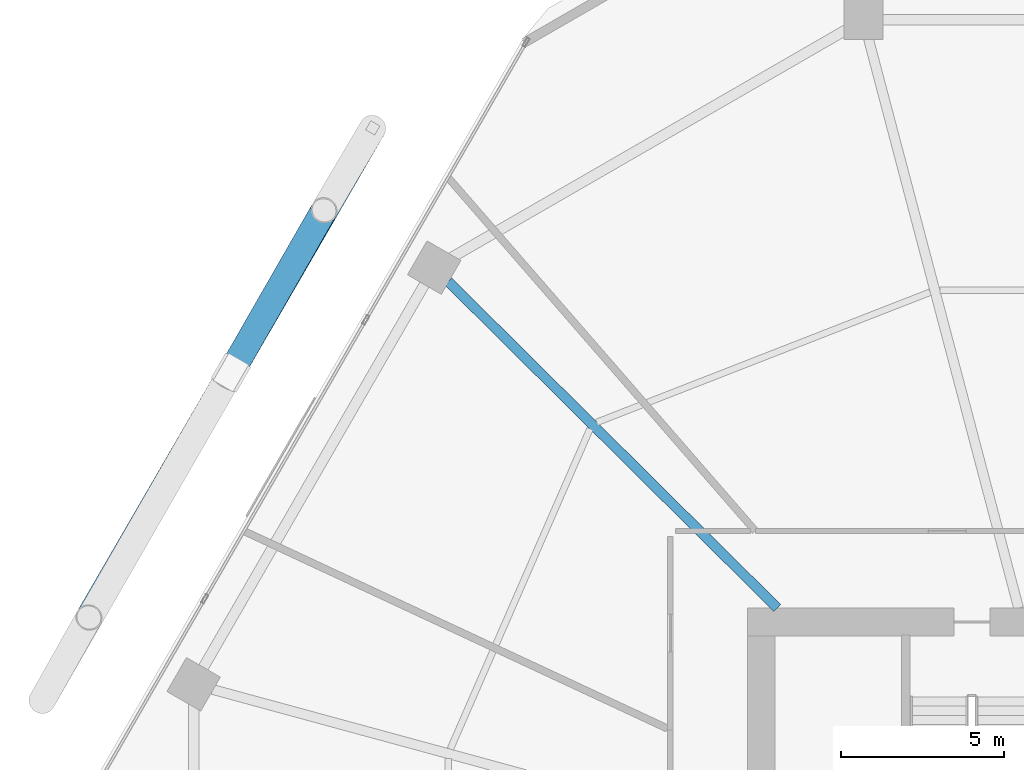
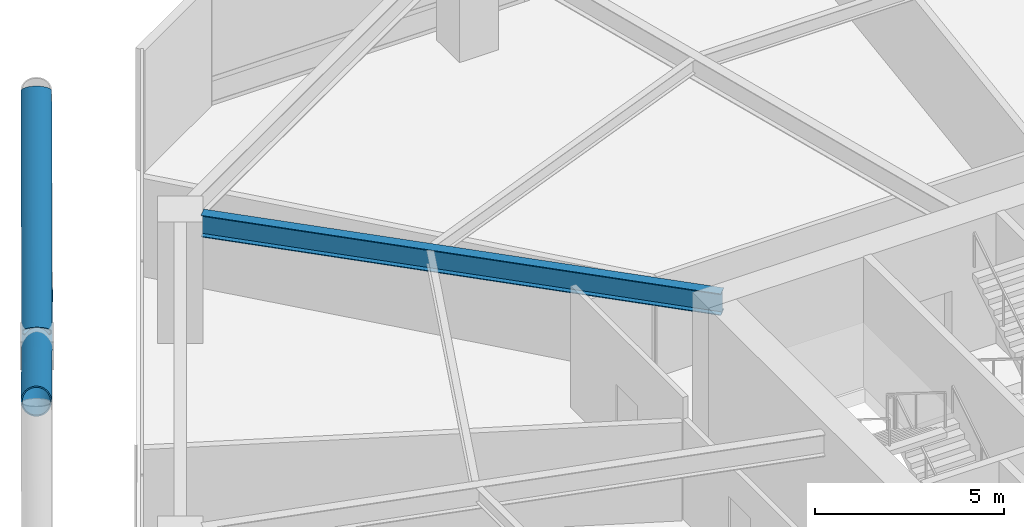
# One storey, part 15 of 31: 2 members, 1 beam.
"""IFC4 building model written with IfcOpenShell, lengths in metres."""

from ifc_helpers import new_model, si_unit, direction, frame, origin, origin_2d, place, context, subcontext, project, spatial, hollow_circle, i_section, extrude, material, material_profile, profile_set, type_object, element, save


model = new_model("IFC4")

# Units and contexts
model_context = context("Model", 3, precision=1e-05, world=origin(), true_north=direction((0.0, 1.0)))
body_context = subcontext(model_context, "Body", "Model", "MODEL_VIEW")
ifc_project = project(units=[si_unit("LENGTHUNIT", "METRE"), si_unit("AREAUNIT", "SQUARE_METRE"), si_unit("VOLUMEUNIT", "CUBIC_METRE"), si_unit("PLANEANGLEUNIT", "RADIAN"), si_unit("MASSUNIT", "GRAM", prefix="KILO")], contexts=[model_context])

# Site, building, storey
site_placement = place(None, origin())
site = spatial("IfcSite", under=ifc_project, at=site_placement, CompositionType="ELEMENT")
building_placement = place(site_placement, origin())
building = spatial("IfcBuilding", under=site, at=building_placement, Name="Zuhravey Tower", CompositionType="ELEMENT")
storey_placement = place(building_placement, frame((0.0, 0.0, 7.800048828125)))
storey = spatial("IfcBuildingStorey", under=building, at=storey_placement, Name="L02", CompositionType="ELEMENT", Elevation=7.800048828125)

# Members
ifc_material_1 = material(Name="Steel SM460", Category="steel")
ifc_material_profile_1 = material_profile(ifc_material_1, hollow_circle(Radius=0.406494140625, WallThickness=0.035888671875, at=origin_2d()), Name="CHS-812.8x36")
ifc_profile_set_1 = profile_set([ifc_material_profile_1], Name="Steel SM460")
member_type = type_object("IfcMemberType", Name="Exoskeleton Zone 1 Diagrid CHS813x36", PredefinedType="BRACE", material=ifc_profile_set_1)
member_1_placement = place(storey_placement, frame((13.5771484375, 56.599609375, -0.64208984375), z_axis=(-0.449535773674, -0.775521240406, 0.443265601943), x_axis=(0.865160213065, -0.501495569003, 0.0)))
element("IfcMember", 1, at=member_1_placement, inside=storey, type_object=member_type, Name="L02 Face 3 Diagrid Brace 2", PredefinedType="BRACE", context=body_context, shape_type="SweptSolid", body=[
    extrude(hollow_circle(Radius=0.406494140625, WallThickness=0.035888671875, at=origin_2d()), origin(), (0.0, 0.0, 1.0), 19.23486328125),
])
member_2_placement = place(storey_placement, frame((9.411865234375, 49.416259765625, 3.858642578125), z_axis=(0.398370837089, 0.694280563752, 0.599395674787), x_axis=(-0.867359684282, 0.49768180405, 0.0)))
element("IfcMember", 2, at=member_2_placement, inside=storey, type_object=member_type, Name="L02 Face 3 Split Diagrid Brace 3B", PredefinedType="BRACE", context=body_context, shape_type="SweptSolid", body=[
    extrude(hollow_circle(Radius=0.406494140625, WallThickness=0.035888671875, at=origin_2d()), origin(), (0.0, 0.0, 1.0), 6.70263671875),
])

# Beam
ifc_material_2 = material(Name="Steel SM355", Category="steel")
ifc_material_profile_2 = material_profile(ifc_material_2, i_section(OverallWidth=0.300048828125, OverallDepth=0.699951171875, WebThickness=0.012939453125, FlangeThickness=0.02392578125, at=origin_2d()), Name="H-700x300x13x24")
ifc_profile_set_2 = profile_set([ifc_material_profile_2], Name="Steel SM355")
beam_type = type_object("IfcBeamType", Name="Radial Primary Girder H700x300", PredefinedType="BEAM", material=ifc_profile_set_2)
beam_placement = place(storey_placement, frame((25.992919921875, 41.927978515625, 3.570068359375), z_axis=(-0.709902823282, 0.704299639, 0.0), x_axis=(-0.704299639, -0.709902823282, 0.0)))
element("IfcBeam", 3, at=beam_placement, inside=storey, type_object=beam_type, Name="L02 RG1 BM-L02-RAD-05", PredefinedType="BEAM", context=body_context, shape_type="SweptSolid", body=[
    extrude(i_section(OverallWidth=0.300048828125, OverallDepth=0.699951171875, WebThickness=0.012939453125, FlangeThickness=0.02392578125, at=origin_2d()), origin(), (0.0, 0.0, 1.0), 14.204345703125),
])

save(model, "model.ifc")
